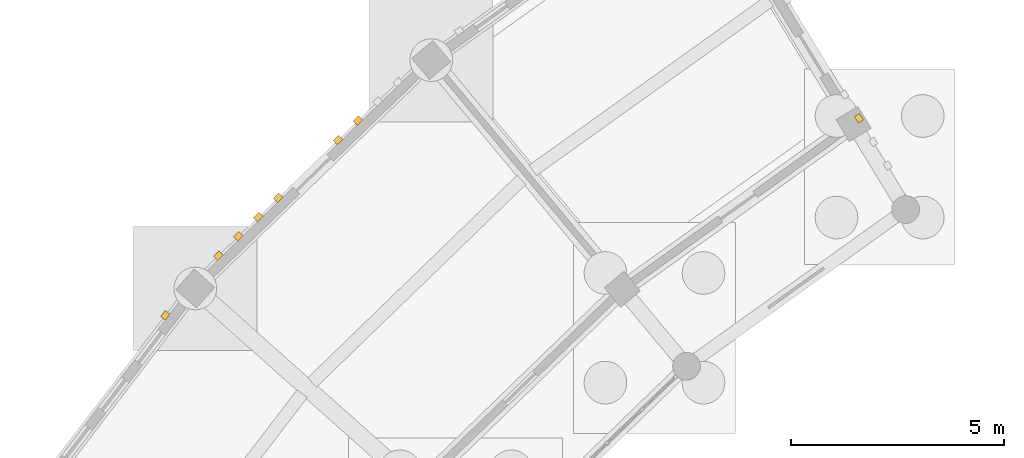
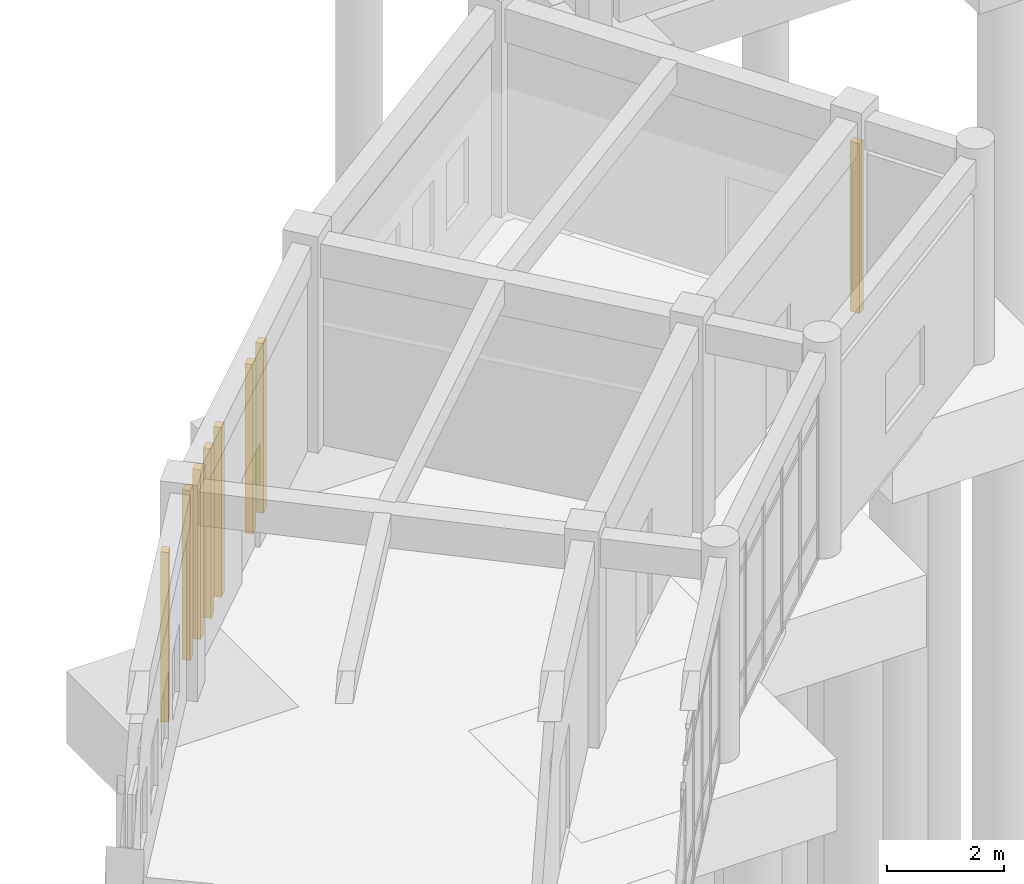
# One storey, part 146 of 153: 8 coverings.
"""IFC4 building model written with IfcOpenShell, lengths in metres."""

from ifc_helpers import new_model, si_unit, direction, frame, origin, origin_2d, place, context, subcontext, project, spatial, rectangle, extrude, material, layer, layer_set, type_object, element, save


model = new_model("IFC4")

# Units and contexts
model_context = context("Model", 3, precision=1e-05, world=origin(), true_north=direction((0.0, 1.0)))
body_context = subcontext(model_context, "Body", "Model", "MODEL_VIEW")
ifc_project = project(units=[si_unit("LENGTHUNIT", "METRE"), si_unit("AREAUNIT", "SQUARE_METRE"), si_unit("VOLUMEUNIT", "CUBIC_METRE"), si_unit("PLANEANGLEUNIT", "RADIAN"), si_unit("MASSUNIT", "GRAM", prefix="KILO")], contexts=[model_context])

# Site, building, storey
site_placement = place(None, origin())
site = spatial("IfcSite", under=ifc_project, at=site_placement, CompositionType="ELEMENT")
building_placement = place(site_placement, origin())
building = spatial("IfcBuilding", under=site, at=building_placement, Name="Celadon Cloister-Ring School", CompositionType="ELEMENT")
storey_placement = place(building_placement, origin())
storey = spatial("IfcBuildingStorey", under=building, at=storey_placement, Name="L00", CompositionType="ELEMENT", Elevation=0.0)

# Coverings
ifc_material = material(Name="Perforated terracotta clay brick masonry", Category="masonry")
ifc_layer = layer(ifc_material, 0.139892578125)
ifc_layer_set = layer_set([ifc_layer], Name="Perforated terracotta clay brick masonry")
covering_type = type_object("IfcCoveringType", Name="CV-SC1", PredefinedType="CLADDING", material=ifc_layer_set)
for number, where, z_axis, x_axis, name in (
    (1, (48.7099609375, 94.35595703125, 0.0), (0.0, 0.0, 1.0), (0.718672644851, 0.695348566938, 0.0), "Brick Screen Rib 0003"),
    (2, (49.177001953125, 94.80810546875, 0.0), (0.0, 0.0, 1.0), (0.718672644851, 0.695348566938, 0.0), "Brick Screen Rib 0004"),
    (3, (49.64501953125, 95.260009765625, 0.0), (0.0, 0.0, 1.0), (0.718672644851, 0.695348566938, 0.0), "Brick Screen Rib 0005"),
    (4, (50.112060546875, 95.7119140625, 0.0), (0.0, 0.0, 1.0), (0.718672644851, 0.695348566938, 0.0), "Brick Screen Rib 0006"),
    (5, (51.512939453125, 97.068115234375, 0.0), (0.0, 0.0, 1.0), (0.718672644851, 0.695348566938, 0.0), "Brick Screen Rib 0007"),
    (6, (51.97998046875, 97.52001953125, 0.0), (0.0, 0.0, 1.0), (0.718672644851, 0.695348566938, 0.0), "Brick Screen Rib 0008"),
    (7, (47.464111328125, 92.955078125, 0.0), (0.0, 0.0, 1.0), (0.608041153742, 0.793905507826, 0.0), "Brick Screen Rib 0012"),
    (8, (63.73291015625, 97.576904296875, 0.0), (0.0, 0.0, 1.0), (0.51986207177, -0.854250212956, 0.0), "Brick Screen Rib 0114"),
):
    element("IfcCovering", number, at=place(storey_placement, frame(where, z_axis=z_axis, x_axis=x_axis)), inside=storey, type_object=covering_type, Name=name, PredefinedType="CLADDING", context=body_context, shape_type="SweptSolid", body=[
        extrude(rectangle(XDim=0.179931640625, YDim=0.139892578125, at=origin_2d()), origin(), (0.0, 0.0, 1.0), 3.530029296875),
    ])

save(model, "model.ifc")
